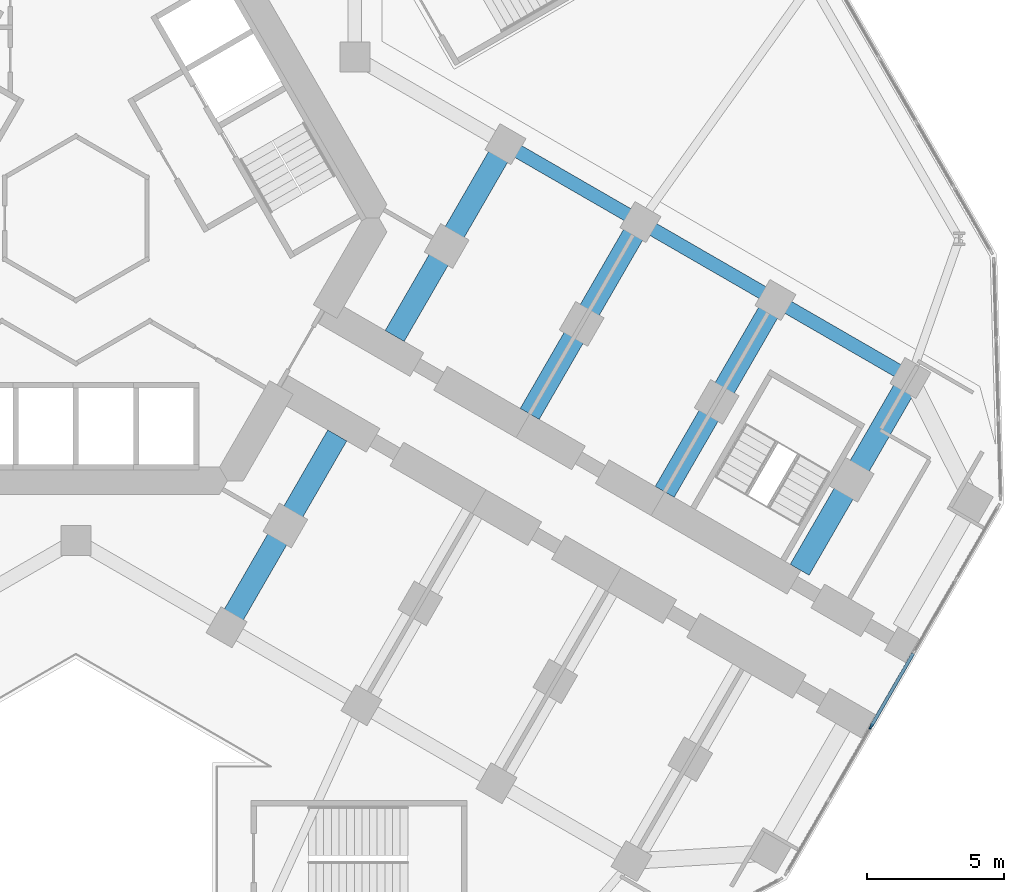
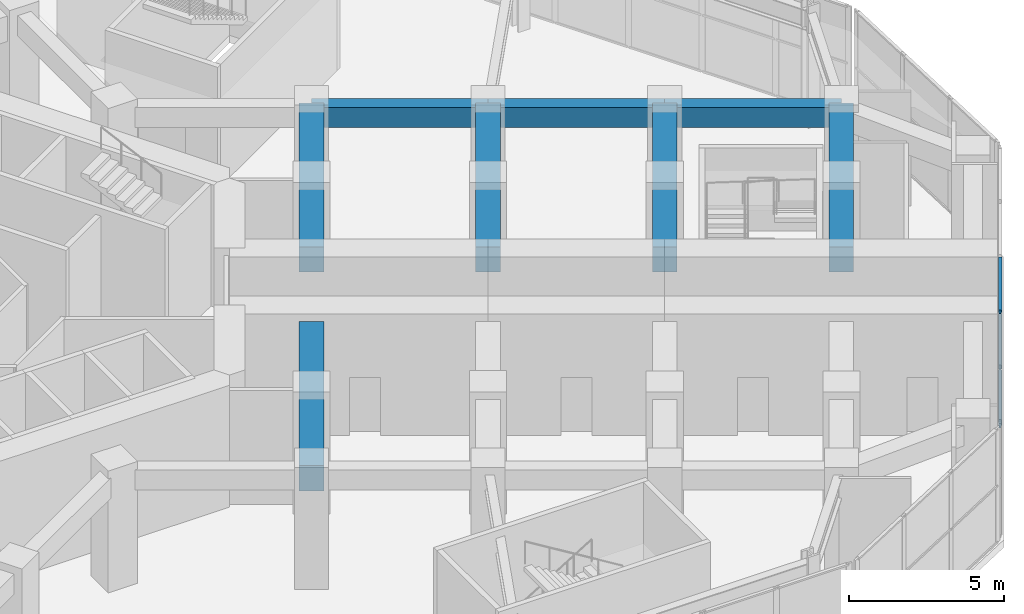
# One storey, part 6 of 22: 8 beams, 4 members, 1 element without a shape of its own.
"""IFC4 building model written with IfcOpenShell, lengths in metres."""

from ifc_helpers import new_model, si_unit, direction, frame, origin, origin_2d, place, context, subcontext, project, spatial, rectangle, extrude, material, material_profile, profile_set, type_object, element, aggregate, save


model = new_model("IFC4")

# Units and contexts
model_context = context("Model", 3, precision=1e-05, world=origin(), true_north=direction((0.0, 1.0)))
body_context = subcontext(model_context, "Body", "Model", "MODEL_VIEW")
ifc_project = project(units=[si_unit("LENGTHUNIT", "METRE"), si_unit("AREAUNIT", "SQUARE_METRE"), si_unit("VOLUMEUNIT", "CUBIC_METRE"), si_unit("PLANEANGLEUNIT", "RADIAN"), si_unit("MASSUNIT", "GRAM", prefix="KILO")], contexts=[model_context])

# Site, building, storey
site_placement = place(None, origin())
site = spatial("IfcSite", under=ifc_project, at=site_placement, CompositionType="ELEMENT")
building_placement = place(site_placement, origin())
building = spatial("IfcBuilding", under=site, at=building_placement, Name="Kosmar Iwan School Tower", CompositionType="ELEMENT")
storey_placement = place(building_placement, frame((0.0, 0.0, 10.800048828125)))
storey = spatial("IfcBuildingStorey", under=building, at=storey_placement, Name="L02", CompositionType="ELEMENT", Elevation=10.800048828125)

# Curtain wall, member
ifc_material_1 = material(Name="Dark glass in black aluminium frame", Category="aluminium")
curtain_wall_type = type_object("IfcCurtainWallType", Name="Tower curtain wall dark glass", PredefinedType="USERDEFINED", material=ifc_material_1)
curtain_wall_placement = place(storey_placement, origin())
curtain_wall = element("IfcCurtainWall", 1, at=curtain_wall_placement, inside=storey, type_object=curtain_wall_type, Name="Curtain wall L02-F02", ObjectType="UNITISED CURTAIN WALL", PredefinedType="USERDEFINED")
ifc_material_2 = material(Name="Black anodised aluminium", Category="aluminium")
ifc_material_profile_1 = material_profile(ifc_material_2, rectangle(XDim=0.06494140625, YDim=0.219970703125, at=origin_2d()), Name="MULLION 65x220")
ifc_profile_set_1 = profile_set([ifc_material_profile_1], Name="Black anodised aluminium")
member_type_1 = type_object("IfcMemberType", Name="Podium mullion 65x220", PredefinedType="MULLION", material=ifc_profile_set_1)
member_1_placement = place(storey_placement, frame((29.079833984375, -18.582275390625, 0.0), z_axis=(0.0, 0.0, 1.0), x_axis=(-0.866025395669, 0.500000014057, 0.0)))
member_1 = element("IfcMember", 2, at=member_1_placement, type_object=member_type_1, Name="CW1 mullion 3", PredefinedType="MULLION", context=body_context, shape_type="SweptSolid", body=[
    extrude(rectangle(XDim=0.06494140625, YDim=0.219970703125, at=origin_2d()), origin(), (0.0, 0.0, 1.0), 4.5),
])

# Beams
ifc_material_3 = material(Name="Concrete C50/60", Category="concrete")
ifc_material_profile_2 = material_profile(ifc_material_3, rectangle(XDim=0.5, YDim=0.800048828125, at=origin_2d()), Name="RC 500x800")
ifc_profile_set_2 = profile_set([ifc_material_profile_2], Name="Concrete C50/60")
beam_type_1 = type_object("IfcBeamType", Name="RC edge beam 500x800", PredefinedType="BEAM", material=ifc_profile_set_2)
beam_1_placement = place(storey_placement, frame((15.708740234375, 2.70849609375, 4.099853515625), z_axis=(0.866025820012, -0.499999279071, 0.0), x_axis=(0.499999279071, 0.866025820012, 0.0)))
element("IfcBeam", 3, at=beam_1_placement, inside=storey, type_object=beam_type_1, Name="Edge beam CL2", PredefinedType="BEAM", context=body_context, shape_type="SweptSolid", body=[
    extrude(rectangle(XDim=0.5, YDim=0.800048828125, at=origin_2d()), origin(), (0.0, 0.0, 1.0), 5.7001953125),
])
for number, where, z_axis, x_axis, name in (
    (4, (20.645263671875, -0.1416015625, 4.099853515625), (0.866033658841, -0.49998570155, 0.0), (0.49998570155, 0.866033658841, 0.0), "Edge beam CL3"),
    (5, (25.58154296875, -2.991455078125, 4.099853515625), (0.866015111908, -0.50001782563, 0.0), (0.50001782563, 0.866015111908, 0.0), "Edge beam CL4"),
):
    element("IfcBeam", number, at=place(storey_placement, frame(where, z_axis=z_axis, x_axis=x_axis)), inside=storey, type_object=beam_type_1, Name=name, PredefinedType="BEAM", context=body_context, shape_type="SweptSolid", body=[
        extrude(rectangle(XDim=0.5, YDim=0.800048828125, at=origin_2d()), origin(), (0.0, 0.0, 1.0), 5.699951171875),
    ])
ifc_material_4 = material(Name="Concrete C50/60", Category="concrete")
ifc_material_profile_3 = material_profile(ifc_material_4, rectangle(XDim=0.800048828125, YDim=1.0, at=origin_2d()), Name="RC 800x1000")
ifc_profile_set_3 = profile_set([ifc_material_profile_3], Name="Concrete C50/60")
beam_type_2 = type_object("IfcBeamType", Name="RC transverse beam 800x1000", PredefinedType="BEAM", material=ifc_profile_set_3)
beam_2_placement = place(storey_placement, frame((15.708740234375, 2.70849609375, 4.0), z_axis=(-0.499999880539, -0.866025472755, 0.0), x_axis=(0.866025472755, -0.499999880539, 0.0)))
element("IfcBeam", 6, at=beam_2_placement, inside=storey, type_object=beam_type_2, Name="Transverse beam CL1", PredefinedType="BEAM", context=body_context, shape_type="SweptSolid", body=[
    extrude(rectangle(XDim=0.800048828125, YDim=1.0, at=origin_2d()), origin(), (0.0, 0.0, 1.0), 8.10009765625),
])
beam_3_placement = place(storey_placement, frame((20.645263671875, -0.1416015625, 4.0), z_axis=(-0.500012932018, -0.866017937352, 0.0), x_axis=(0.866017937352, -0.500012932018, 0.0)))
element("IfcBeam", 7, at=beam_3_placement, inside=storey, type_object=beam_type_2, Name="Transverse beam CL2", PredefinedType="BEAM", context=body_context, shape_type="SweptSolid", body=[
    extrude(rectangle(XDim=0.800048828125, YDim=1.0, at=origin_2d()), origin(), (0.0, 0.0, 1.0), 8.099853515625),
])
for number, where, z_axis, x_axis, name in (
    (8, (25.58154296875, -2.991455078125, 4.0), (-0.499999880539, -0.866025472755, 0.0), (0.866025472755, -0.499999880539, 0.0), "Transverse beam CL3"),
    (9, (30.517822265625, -5.841552734375, 4.0), (-0.499999880539, -0.866025472755, 0.0), (0.866025472755, -0.499999880539, 0.0), "Transverse beam CL4"),
    (10, (5.5087890625, -14.95849609375, 4.0), (0.499999880539, 0.866025472755, 0.0), (-0.866025472755, 0.499999880539, 0.0), "Transverse beam CR1"),
):
    element("IfcBeam", number, at=place(storey_placement, frame(where, z_axis=z_axis, x_axis=x_axis)), inside=storey, type_object=beam_type_2, Name=name, PredefinedType="BEAM", context=body_context, shape_type="SweptSolid", body=[
        extrude(rectangle(XDim=0.800048828125, YDim=1.0, at=origin_2d()), origin(), (0.0, 0.0, 1.0), 8.10009765625),
    ])

# Member
ifc_material_5 = material(Name="Black anodised aluminium", Category="aluminium")
ifc_material_profile_4 = material_profile(ifc_material_5, rectangle(XDim=0.1201171875, YDim=0.06005859375, at=origin_2d()), Name="TRANSOM 60x120")
ifc_profile_set_4 = profile_set([ifc_material_profile_4], Name="Black anodised aluminium")
member_type_2 = type_object("IfcMemberType", Name="Transom 60x120", PredefinedType="USERDEFINED", material=ifc_profile_set_4)
member_2_placement = place(storey_placement, frame((29.095947265625, -18.55419921875, 0.030029296875), z_axis=(0.500042151114, 0.86600106646, 0.0), x_axis=(-0.86600106646, 0.500042151114, 0.0)))
member_2 = element("IfcMember", 11, at=member_2_placement, type_object=member_type_2, Name="CW1 transom 3.1", ObjectType="TRANSOM", PredefinedType="USERDEFINED", context=body_context, shape_type="SweptSolid", body=[
    extrude(rectangle(XDim=0.1201171875, YDim=0.06005859375, at=origin_2d()), origin(), (0.0, 0.0, 1.0), 3.040771484375),
])

member_3_placement = place(storey_placement, frame((29.095947265625, -18.55419921875, 2.25), z_axis=(0.500042151114, 0.86600106646, 0.0), x_axis=(-0.86600106646, 0.500042151114, 0.0)))
member_3 = element("IfcMember", 12, at=member_3_placement, type_object=member_type_2, Name="CW1 transom 3.2", ObjectType="TRANSOM", PredefinedType="USERDEFINED", context=body_context, shape_type="SweptSolid", body=[
    extrude(rectangle(XDim=0.1201171875, YDim=0.06005859375, at=origin_2d()), origin(), (0.0, 0.0, 1.0), 3.040771484375),
])

member_4_placement = place(storey_placement, frame((29.095947265625, -18.55419921875, 4.469970703125), z_axis=(0.500042151114, 0.86600106646, 0.0), x_axis=(-0.86600106646, 0.500042151114, 0.0)))
member_4 = element("IfcMember", 13, at=member_4_placement, type_object=member_type_2, Name="CW1 transom 3.3", ObjectType="TRANSOM", PredefinedType="USERDEFINED", context=body_context, shape_type="SweptSolid", body=[
    extrude(rectangle(XDim=0.1201171875, YDim=0.06005859375, at=origin_2d()), origin(), (0.0, 0.0, 1.0), 3.040771484375),
])

aggregate(curtain_wall, [member_1, member_2, member_3, member_4])

save(model, "model.ifc")
